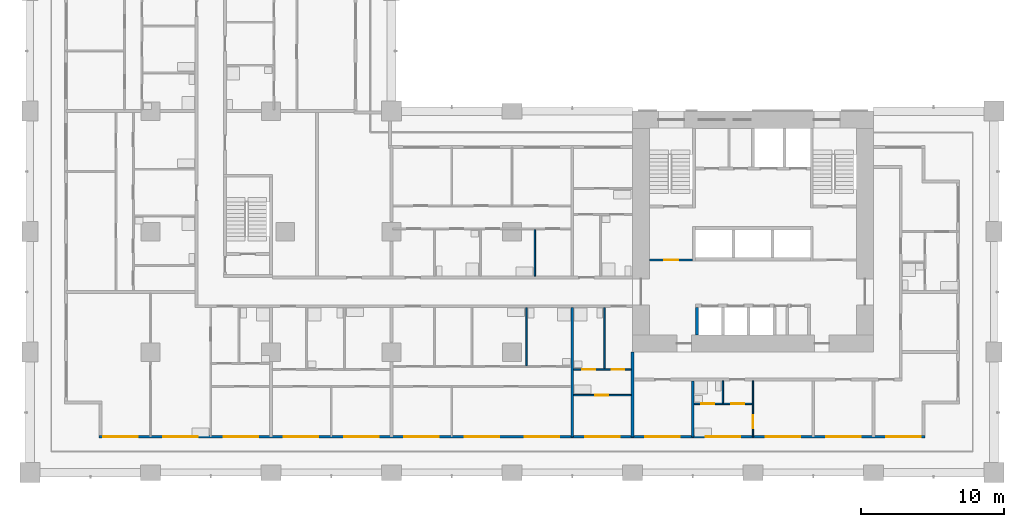
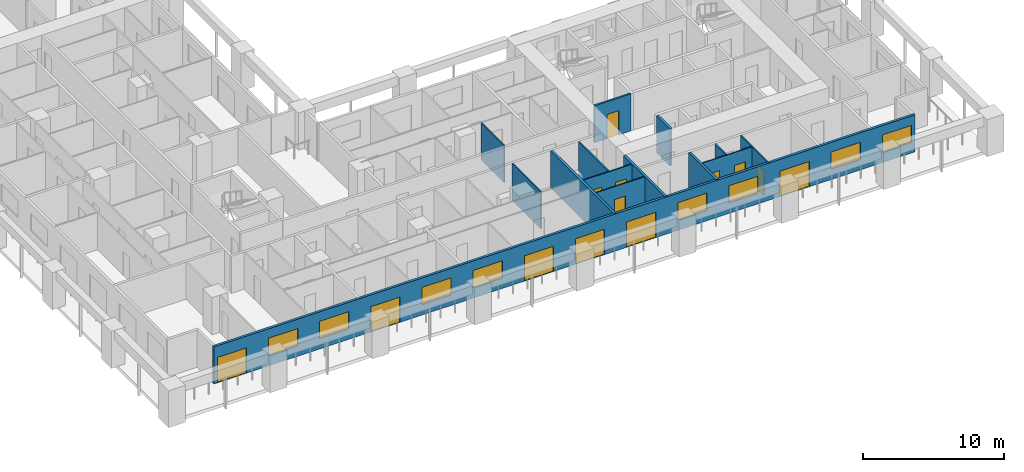
# One storey, part 5 of 19: 14 walls, 13 doors, 8 windows, 21 openings.
"""IFC4 building model written with IfcOpenShell, lengths in metres."""

import ifcopenshell
import ifcopenshell.guid

model = None  # the IFC model being written
_history = None  # IfcOwnerHistory: only IFC2X3 demands one
_inside = {}  # id of a spatial element -> (the spatial element, [elements in it])
_under = {}  # id of a project, library or spatial element -> (it, [spatial elements below it])
_declared = {}  # id of a project -> (the project, [libraries it declares])
_typed = {}  # id of a type object -> (the type object, [elements of that type])
_made_of = {}  # id of a material, layer set ... -> (it, [elements and type objects made of it])


def new_model(schema):
    """Start an empty IFC model of exactly this schema.

    Asked for "IFC4X3", IfcOpenShell would pick the latest addendum, in which some entities
    have other attributes; the version numbers below select the first issue.
    IFC2X3 requires an IfcOwnerHistory on every rooted entity: one is made here for all.
    """
    global model, _history
    if schema == "IFC4X3":
        model = ifcopenshell.file(schema_version=(4, 3, 0, 0))
    else:
        model = ifcopenshell.file(schema=schema)
    _inside.clear()
    _under.clear()
    _declared.clear()
    _typed.clear()
    _made_of.clear()
    _history = None
    if model.schema == "IFC2X3":
        org = make("IfcOrganization", Name="unknown")
        user = make(
            "IfcPersonAndOrganization",
            ThePerson=make("IfcPerson", FamilyName="unknown"),
            TheOrganization=org,
        )
        app = make(
            "IfcApplication",
            ApplicationDeveloper=org,
            Version="unknown",
            ApplicationFullName="unknown",
            ApplicationIdentifier="unknown",
        )
        _history = make(
            "IfcOwnerHistory",
            OwningUser=user,
            OwningApplication=app,
            ChangeAction="ADDED",
            CreationDate=0,
        )
    return model


def make(cls, **values):
    """One entity of the class cls with the attributes given. An attribute that is None is left unset."""
    return model.create_entity(
        cls, **{name: value for name, value in values.items() if value is not None}
    )


def rooted(cls, **values):
    """An entity with a GlobalId (a new one), such as an element, a storey or a relation."""
    return make(cls, GlobalId=ifcopenshell.guid.new(), OwnerHistory=_history, **values)


def si_unit(unit_type, name, prefix=None):
    """IfcSIUnit, for example si_unit("LENGTHUNIT", "METRE", prefix="MILLI")."""
    return make("IfcSIUnit", UnitType=unit_type, Prefix=prefix, Name=name)


def assignment(units):
    """IfcUnitAssignment: the units of a project."""
    return None if units is None else make("IfcUnitAssignment", Units=units)


def point(xyz):
    """IfcCartesianPoint."""
    return None if xyz is None else make("IfcCartesianPoint", Coordinates=xyz)


def direction(xyz):
    """IfcDirection."""
    return None if xyz is None else make("IfcDirection", DirectionRatios=xyz)


def frame(location, z_axis=None, x_axis=None):
    """IfcAxis2Placement3D, a coordinate frame: its origin and axes. An axis left out is left unset."""
    return make(
        "IfcAxis2Placement3D",
        Location=point(location),
        Axis=direction(z_axis),
        RefDirection=direction(x_axis),
    )


def frame_2d(location, x_axis=None):
    """IfcAxis2Placement2D, a coordinate frame in the plane: its origin and x axis."""
    return make(
        "IfcAxis2Placement2D", Location=point(location), RefDirection=direction(x_axis)
    )


def origin():
    """The frame at (0, 0, 0) with its axes left unset."""
    return frame((0.0, 0.0, 0.0))


def place(relative_to, where):
    """IfcLocalPlacement: puts the frame where relative to a parent placement (None: the world)."""
    return make(
        "IfcLocalPlacement", PlacementRelTo=relative_to, RelativePlacement=where
    )


def context(
    kind, dimensions, precision=None, world=None, true_north=None, identifier=None
):
    """IfcGeometricRepresentationContext, for example the 3D "Model" context."""
    return make(
        "IfcGeometricRepresentationContext",
        ContextIdentifier=identifier,
        ContextType=kind,
        CoordinateSpaceDimension=dimensions,
        Precision=precision,
        WorldCoordinateSystem=world,
        TrueNorth=true_north,
    )


def subcontext(parent, identifier, kind, view, scale=None):
    """IfcGeometricRepresentationSubContext, for example "Body" below "Model"."""
    return make(
        "IfcGeometricRepresentationSubContext",
        ContextIdentifier=identifier,
        ContextType=kind,
        ParentContext=parent,
        TargetScale=scale,
        TargetView=view,
    )


def project(units=None, contexts=None):
    """IfcProject with its units and contexts."""
    return rooted(
        "IfcProject",
        Name="project",
        RepresentationContexts=contexts,
        UnitsInContext=assignment(units),
    )


def spatial(cls, under=None, at=None, **own):
    """A site, building, storey or space (cls), placed at a placement, below another one or the project."""
    s = rooted(cls, ObjectPlacement=at, **own)
    if under is not None:
        _under.setdefault(under.id(), (under, []))[1].append(s)
    return s


def profile(cls, at=None, kind="AREA", **sizes):
    """A parametric profile (cls). Its sizes go by their IFC names, for example OverallWidth=200.0."""
    return make(cls, ProfileType=kind, Position=at, **sizes)


def rectangle(**sizes):
    """IfcRectangleProfileDef."""
    return profile("IfcRectangleProfileDef", **sizes)


def extrude(swept, where, along, depth):
    """IfcExtrudedAreaSolid: the profile swept, set in the frame where, extruded along a direction by depth."""
    return make(
        "IfcExtrudedAreaSolid",
        SweptArea=swept,
        Position=where,
        ExtrudedDirection=direction(along),
        Depth=depth,
    )


def shape(context_of_items, identifier, shape_type, items):
    """IfcShapeRepresentation: the items that make up one representation, for example the "Body"."""
    return make(
        "IfcShapeRepresentation",
        ContextOfItems=context_of_items,
        RepresentationIdentifier=identifier,
        RepresentationType=shape_type,
        Items=items,
    )


def material(Name=None, Category=None):
    """IfcMaterial."""
    return make("IfcMaterial", Name=Name, Category=Category)


def layer(
    of_material, thickness, ventilated=None, Name=None, Category=None, Priority=None
):
    """IfcMaterialLayer: one layer of a wall or slab, of a material (None: an air gap)."""
    return make(
        "IfcMaterialLayer",
        Material=of_material,
        LayerThickness=thickness,
        IsVentilated=ventilated,
        Name=Name,
        Category=Category,
        Priority=Priority,
    )


def layer_set(layers, Name=None):
    """IfcMaterialLayerSet."""
    return make("IfcMaterialLayerSet", MaterialLayers=layers, LayerSetName=Name)


def made_of(thing, what):
    """Note that an element or type object is made of a material, layer set ...; save() writes the relation."""
    if what is not None:
        _made_of.setdefault(what.id(), (what, []))[1].append(thing)
    return thing


def type_object(cls, material=None, **own):
    """A type object (cls), such as IfcWallType, which elements share."""
    return made_of(rooted(cls, **own), material)


def element(
    cls,
    number,
    at=None,
    inside=None,
    cuts=None,
    type_object=None,
    material=None,
    context=None,
    identifier="Body",
    shape_type=None,
    held_by="IfcProductDefinitionShape",
    body=None,
    shapes=None,
    **own,
):
    """One element of the class cls, such as IfcWall. Its Tag is "e" and its number.

    at: its placement. inside: the storey or other place that contains it. cuts: it is an
    opening in that element (IfcRelVoidsElement). A single representation is given by context,
    identifier, shape_type and body (its items); several are given by shapes. held_by: the class
    of the entity that holds the representations. save() writes the other relations.
    """
    e = rooted(cls, Tag="e%d" % number, ObjectPlacement=at, **own)
    if body is not None:
        shapes = [shape(context, identifier, shape_type, body)]
    if shapes is not None:
        e.Representation = make(held_by, Representations=shapes)
    if inside is not None:
        _inside.setdefault(inside.id(), (inside, []))[1].append(e)
    if cuts is not None:
        rooted(
            "IfcRelVoidsElement", RelatingBuildingElement=cuts, RelatedOpeningElement=e
        )
    if type_object is not None:
        _typed.setdefault(type_object.id(), (type_object, []))[1].append(e)
    return made_of(e, material)


def fill(opening, filler):
    """IfcRelFillsElement: the door or window that sits in an opening."""
    return rooted(
        "IfcRelFillsElement",
        RelatingOpeningElement=opening,
        RelatedBuildingElement=filler,
    )


def aggregate(whole, parts):
    """IfcRelAggregates: a whole, such as a stair, and the parts it consists of."""
    return rooted("IfcRelAggregates", RelatingObject=whole, RelatedObjects=parts)


def save(model, path):
    """Write the relations noted so far, then the file.

    IfcRelAggregates (storeys below a building ...), IfcRelContainedInSpatialStructure (elements
    in a storey), IfcRelDefinesByType, IfcRelAssociatesMaterial and IfcRelDeclares: one each for
    every whole, place, type object, material and project.
    """
    for whole, parts in _under.values():
        aggregate(whole, parts)
    for where, things in _inside.values():
        rooted(
            "IfcRelContainedInSpatialStructure",
            RelatedElements=things,
            RelatingStructure=where,
        )
    for kind, things in _typed.values():
        rooted("IfcRelDefinesByType", RelatedObjects=things, RelatingType=kind)
    for what, things in _made_of.values():
        rooted("IfcRelAssociatesMaterial", RelatedObjects=things, RelatingMaterial=what)
    for by, libraries in _declared.values():
        rooted("IfcRelDeclares", RelatingContext=by, RelatedDefinitions=libraries)
    model.write(path)


model = new_model("IFC4")

# Units and contexts
model_context = context("Model", 3, precision=1e-05, world=origin(), true_north=direction((0.0, 1.0)))
body_context = subcontext(model_context, "Body", "Model", "MODEL_VIEW")
ifc_project = project(units=[si_unit("LENGTHUNIT", "METRE"), si_unit("AREAUNIT", "SQUARE_METRE"), si_unit("VOLUMEUNIT", "CUBIC_METRE"), si_unit("PLANEANGLEUNIT", "RADIAN"), si_unit("MASSUNIT", "GRAM", prefix="KILO")], contexts=[model_context])

# Site, building, storey
site_placement = place(None, origin())
site = spatial("IfcSite", under=ifc_project, at=site_placement, CompositionType="ELEMENT")
building_placement = place(site_placement, origin())
building = spatial("IfcBuilding", under=site, at=building_placement, Name="Vermilion Gate Residences", CompositionType="ELEMENT")
storey_placement = place(building_placement, frame((0.0, 0.0, 53.199951171875)))
storey = spatial("IfcBuildingStorey", under=building, at=storey_placement, Name="L12", CompositionType="ELEMENT", Elevation=53.199951171875)

# Wall, opening, door
ifc_material_1 = material(Name="Masonry blockwork", Category="masonry")
ifc_layer_1 = layer(ifc_material_1, 0.14990234375)
ifc_layer_set_1 = layer_set([ifc_layer_1], Name="BLOCKWORK PARTITION 150 EI 120")
wall_type_1 = type_object("IfcWallType", Name="BLOCKWORK PARTITION 150 EI 120", PredefinedType="PARTITIONING", material=ifc_layer_set_1)
wall_1_placement = place(storey_placement, frame((43.199951171875, 14.824951171875, 0.0), z_axis=(0.0, 0.0, 1.0), x_axis=(1.0, 0.0, 0.0)))
wall_1 = element("IfcWall", 1, at=wall_1_placement, inside=storey, type_object=wall_type_1, Name="Core room partition A12-VW-S", PredefinedType="PARTITIONING", context=body_context, shape_type="SweptSolid", body=[
    extrude(rectangle(XDim=3.0, YDim=0.14990234375, at=frame_2d((1.5, 0.0))), origin(), (0.0, 0.0, 1.0), 3.219970703125),
])
opening_1_placement = place(wall_1_placement, frame((1.0, 0.0, 0.0)))
opening_1 = element("IfcOpeningElement", 2, at=opening_1_placement, cuts=wall_1, Name="Opening DK12014", PredefinedType="OPENING", context=body_context, shape_type="SweptSolid", body=[
    extrude(rectangle(XDim=1.0, YDim=2.10009765625, at=frame_2d((0.5, 1.050048828125))), frame((0.0, 0.0849609375, 0.0), z_axis=(0.0, -1.0, 0.0), x_axis=(1.0, 0.0, 0.0)), (0.0, 0.0, 1.0), 0.169921875),
])
ifc_material_2 = material(Name="Steel", Category="steel")
door_type_1 = type_object("IfcDoorType", Name="FIRE DOOR FD60 1000 X 2100", OperationType="SINGLE_SWING_LEFT", PredefinedType="DOOR", material=ifc_material_2)
door_1_placement = place(opening_1_placement, frame((1.0, 0.0, 0.0), z_axis=(0.0, 0.0, 1.0), x_axis=(-1.0, 0.0, 0.0)))
door_1 = element("IfcDoor", 3, at=door_1_placement, inside=storey, type_object=door_type_1, Name="Stair vestibule door A12", OperationType="SINGLE_SWING_RIGHT", OverallHeight=2.10009765625, OverallWidth=1.0, PredefinedType="DOOR", context=body_context, shape_type="SweptSolid", body=[
    extrude(rectangle(XDim=1.0, YDim=2.10009765625, at=frame_2d((0.5, 1.050048828125))), frame((0.0, 0.02490234375, 0.0), z_axis=(0.0, -1.0, 0.0), x_axis=(1.0, 0.0, 0.0)), (0.0, 0.0, 1.0), 0.050048828125),
])
fill(opening_1, door_1)

# Wall, openings, doors, windows
ifc_material_3 = material(Name="Insulated steel stud wall with terracotta rainscreen", Category="masonry")
ifc_layer_2 = layer(ifc_material_3, 0.199951171875)
ifc_layer_set_2 = layer_set([ifc_layer_2], Name="EXTERNAL WALL 200 TERRACOTTA RAINSCREEN")
wall_type_2 = type_object("IfcWallType", Name="EXTERNAL WALL 200 TERRACOTTA RAINSCREEN", PredefinedType="SOLIDWALL", material=ifc_layer_set_2)
wall_2_placement = place(storey_placement, frame((4.800048828125, 2.5, 0.0), z_axis=(0.0, 0.0, 1.0), x_axis=(1.0, 0.0, 0.0)))
wall_2 = element("IfcWall", 4, at=wall_2_placement, inside=storey, type_object=wall_type_2, Name="External wall", PredefinedType="SOLIDWALL", context=body_context, shape_type="SweptSolid", body=[
    extrude(rectangle(XDim=57.599853515625, YDim=0.199951171875, at=frame_2d((28.7998046875, 0.0))), origin(), (0.0, 0.0, 1.0), 3.219970703125),
])
opening_2_placement = place(wall_2_placement, frame((0.300048828125, 0.0, 0.0)))
opening_2 = element("IfcOpeningElement", 5, at=opening_2_placement, cuts=wall_2, Name="Opening DE12014", PredefinedType="OPENING", context=body_context, shape_type="SweptSolid", body=[
    extrude(rectangle(XDim=2.39990234375, YDim=2.199951171875, at=frame_2d((1.199951171875, 1.10009765625))), frame((0.0, 0.10986328125, 0.0), z_axis=(0.0, -1.0, 0.0), x_axis=(1.0, 0.0, 0.0)), (0.0, 0.0, 1.0), 0.219970703125),
])
opening_3_placement = place(wall_2_placement, frame((4.5, 0.0, 0.89990234375)))
opening_3 = element("IfcOpeningElement", 6, at=opening_3_placement, cuts=wall_2, Name="Opening WE12015", PredefinedType="OPENING", context=body_context, shape_type="SweptSolid", body=[
    extrude(rectangle(XDim=2.39990234375, YDim=1.5, at=frame_2d((1.199951171875, 0.75))), frame((0.0, 0.10986328125, 0.0), z_axis=(0.0, -1.0, 0.0), x_axis=(1.0, 0.0, 0.0)), (0.0, 0.0, 1.0), 0.219970703125),
])
opening_4_placement = place(wall_2_placement, frame((8.699951171875, 0.0, 0.89990234375)))
opening_4 = element("IfcOpeningElement", 7, at=opening_4_placement, cuts=wall_2, Name="Opening WE12016", PredefinedType="OPENING", context=body_context, shape_type="SweptSolid", body=[
    extrude(rectangle(XDim=2.39990234375, YDim=1.5, at=frame_2d((1.199951171875, 0.75))), frame((0.0, 0.10986328125, 0.0), z_axis=(0.0, -1.0, 0.0), x_axis=(1.0, 0.0, 0.0)), (0.0, 0.0, 1.0), 0.219970703125),
])
opening_5_placement = place(wall_2_placement, frame((12.89990234375, 0.0, 0.0)))
opening_5 = element("IfcOpeningElement", 8, at=opening_5_placement, cuts=wall_2, Name="Opening DE12017", PredefinedType="OPENING", context=body_context, shape_type="SweptSolid", body=[
    extrude(rectangle(XDim=2.39990234375, YDim=2.199951171875, at=frame_2d((1.199951171875, 1.10009765625))), frame((0.0, 0.10986328125, 0.0), z_axis=(0.0, -1.0, 0.0), x_axis=(1.0, 0.0, 0.0)), (0.0, 0.0, 1.0), 0.219970703125),
])
opening_6_placement = place(wall_2_placement, frame((17.10009765625, 0.0, 0.89990234375)))
opening_6 = element("IfcOpeningElement", 9, at=opening_6_placement, cuts=wall_2, Name="Opening WE12018", PredefinedType="OPENING", context=body_context, shape_type="SweptSolid", body=[
    extrude(rectangle(XDim=2.39990234375, YDim=1.5, at=frame_2d((1.199951171875, 0.75))), frame((0.0, 0.10986328125, 0.0), z_axis=(0.0, -1.0, 0.0), x_axis=(1.0, 0.0, 0.0)), (0.0, 0.0, 1.0), 0.219970703125),
])
opening_7_placement = place(wall_2_placement, frame((21.300048828125, 0.0, 0.89990234375)))
opening_7 = element("IfcOpeningElement", 10, at=opening_7_placement, cuts=wall_2, Name="Opening WE12019", PredefinedType="OPENING", context=body_context, shape_type="SweptSolid", body=[
    extrude(rectangle(XDim=2.39990234375, YDim=1.5, at=frame_2d((1.199951171875, 0.75))), frame((0.0, 0.10986328125, 0.0), z_axis=(0.0, -1.0, 0.0), x_axis=(1.0, 0.0, 0.0)), (0.0, 0.0, 1.0), 0.219970703125),
])
opening_8_placement = place(wall_2_placement, frame((25.5, 0.0, 0.0)))
opening_8 = element("IfcOpeningElement", 11, at=opening_8_placement, cuts=wall_2, Name="Opening DE12020", PredefinedType="OPENING", context=body_context, shape_type="SweptSolid", body=[
    extrude(rectangle(XDim=2.39990234375, YDim=2.199951171875, at=frame_2d((1.199951171875, 1.10009765625))), frame((0.0, 0.10986328125, 0.0), z_axis=(0.0, -1.0, 0.0), x_axis=(1.0, 0.0, 0.0)), (0.0, 0.0, 1.0), 0.219970703125),
])
opening_9_placement = place(wall_2_placement, frame((29.699951171875, 0.0, 0.0)))
opening_9 = element("IfcOpeningElement", 12, at=opening_9_placement, cuts=wall_2, Name="Opening DE12021", PredefinedType="OPENING", context=body_context, shape_type="SweptSolid", body=[
    extrude(rectangle(XDim=2.39990234375, YDim=2.199951171875, at=frame_2d((1.199951171875, 1.10009765625))), frame((0.0, 0.10986328125, 0.0), z_axis=(0.0, -1.0, 0.0), x_axis=(1.0, 0.0, 0.0)), (0.0, 0.0, 1.0), 0.219970703125),
])
opening_10_placement = place(wall_2_placement, frame((33.89990234375, 0.0, 0.0)))
opening_10 = element("IfcOpeningElement", 13, at=opening_10_placement, cuts=wall_2, Name="Opening DE12022", PredefinedType="OPENING", context=body_context, shape_type="SweptSolid", body=[
    extrude(rectangle(XDim=2.39990234375, YDim=2.199951171875, at=frame_2d((1.199951171875, 1.10009765625))), frame((0.0, 0.10986328125, 0.0), z_axis=(0.0, -1.0, 0.0), x_axis=(1.0, 0.0, 0.0)), (0.0, 0.0, 1.0), 0.219970703125),
])
opening_11_placement = place(wall_2_placement, frame((38.10009765625, 0.0, 0.89990234375)))
opening_11 = element("IfcOpeningElement", 14, at=opening_11_placement, cuts=wall_2, Name="Opening WE12023", PredefinedType="OPENING", context=body_context, shape_type="SweptSolid", body=[
    extrude(rectangle(XDim=2.39990234375, YDim=1.5, at=frame_2d((1.199951171875, 0.75))), frame((0.0, 0.10986328125, 0.0), z_axis=(0.0, -1.0, 0.0), x_axis=(1.0, 0.0, 0.0)), (0.0, 0.0, 1.0), 0.219970703125),
])
opening_12_placement = place(wall_2_placement, frame((42.300048828125, 0.0, 0.89990234375)))
opening_12 = element("IfcOpeningElement", 15, at=opening_12_placement, cuts=wall_2, Name="Opening WE12024", PredefinedType="OPENING", context=body_context, shape_type="SweptSolid", body=[
    extrude(rectangle(XDim=2.39990234375, YDim=1.5, at=frame_2d((1.199951171875, 0.75))), frame((0.0, 0.10986328125, 0.0), z_axis=(0.0, -1.0, 0.0), x_axis=(1.0, 0.0, 0.0)), (0.0, 0.0, 1.0), 0.219970703125),
])
opening_13_placement = place(wall_2_placement, frame((46.5, 0.0, 0.0)))
opening_13 = element("IfcOpeningElement", 16, at=opening_13_placement, cuts=wall_2, Name="Opening DE12025", PredefinedType="OPENING", context=body_context, shape_type="SweptSolid", body=[
    extrude(rectangle(XDim=2.39990234375, YDim=2.199951171875, at=frame_2d((1.199951171875, 1.10009765625))), frame((0.0, 0.10986328125, 0.0), z_axis=(0.0, -1.0, 0.0), x_axis=(1.0, 0.0, 0.0)), (0.0, 0.0, 1.0), 0.219970703125),
])
opening_14_placement = place(wall_2_placement, frame((50.699951171875, 0.0, 0.89990234375)))
opening_14 = element("IfcOpeningElement", 17, at=opening_14_placement, cuts=wall_2, Name="Opening WE12026", PredefinedType="OPENING", context=body_context, shape_type="SweptSolid", body=[
    extrude(rectangle(XDim=2.39990234375, YDim=1.5, at=frame_2d((1.199951171875, 0.75))), frame((0.0, 0.10986328125, 0.0), z_axis=(0.0, -1.0, 0.0), x_axis=(1.0, 0.0, 0.0)), (0.0, 0.0, 1.0), 0.219970703125),
])
opening_15_placement = place(wall_2_placement, frame((54.89990234375, 0.0, 0.89990234375)))
opening_15 = element("IfcOpeningElement", 18, at=opening_15_placement, cuts=wall_2, Name="Opening WE12027", PredefinedType="OPENING", context=body_context, shape_type="SweptSolid", body=[
    extrude(rectangle(XDim=2.39990234375, YDim=1.5, at=frame_2d((1.199951171875, 0.75))), frame((0.0, 0.10986328125, 0.0), z_axis=(0.0, -1.0, 0.0), x_axis=(1.0, 0.0, 0.0)), (0.0, 0.0, 1.0), 0.219970703125),
])
ifc_material_4 = material(Name="Aluminium and clear glass", Category="aluminium")
door_type_2 = type_object("IfcDoorType", Name="SLIDING GLAZED DOOR 2400 X 2200", OperationType="DOUBLE_DOOR_SLIDING", PredefinedType="DOOR", material=ifc_material_4)
door_2_placement = place(opening_2_placement, origin())
door_2 = element("IfcDoor", 19, at=door_2_placement, inside=storey, type_object=door_type_2, Name="Loggia sliding door", OperationType="DOUBLE_DOOR_SLIDING", OverallHeight=2.199951171875, OverallWidth=2.39990234375, PredefinedType="DOOR", context=body_context, shape_type="SweptSolid", body=[
    extrude(rectangle(XDim=2.39990234375, YDim=2.199951171875, at=frame_2d((1.199951171875, 1.10009765625))), frame((0.0, 0.02490234375, 0.0), z_axis=(0.0, -1.0, 0.0), x_axis=(1.0, 0.0, 0.0)), (0.0, 0.0, 1.0), 0.050048828125),
])
fill(opening_2, door_2)
door_3_placement = place(opening_5_placement, origin())
door_3 = element("IfcDoor", 20, at=door_3_placement, inside=storey, type_object=door_type_2, Name="Loggia sliding door", OperationType="DOUBLE_DOOR_SLIDING", OverallHeight=2.199951171875, OverallWidth=2.39990234375, PredefinedType="DOOR", context=body_context, shape_type="SweptSolid", body=[
    extrude(rectangle(XDim=2.39990234375, YDim=2.199951171875, at=frame_2d((1.199951171875, 1.10009765625))), frame((0.0, 0.02490234375, 0.0), z_axis=(0.0, -1.0, 0.0), x_axis=(1.0, 0.0, 0.0)), (0.0, 0.0, 1.0), 0.050048828125),
])
fill(opening_5, door_3)
door_4_placement = place(opening_8_placement, origin())
door_4 = element("IfcDoor", 21, at=door_4_placement, inside=storey, type_object=door_type_2, Name="Loggia sliding door", OperationType="DOUBLE_DOOR_SLIDING", OverallHeight=2.199951171875, OverallWidth=2.39990234375, PredefinedType="DOOR", context=body_context, shape_type="SweptSolid", body=[
    extrude(rectangle(XDim=2.39990234375, YDim=2.199951171875, at=frame_2d((1.199951171875, 1.10009765625))), frame((0.0, 0.02490234375, 0.0), z_axis=(0.0, -1.0, 0.0), x_axis=(1.0, 0.0, 0.0)), (0.0, 0.0, 1.0), 0.050048828125),
])
fill(opening_8, door_4)
door_5_placement = place(opening_9_placement, origin())
door_5 = element("IfcDoor", 22, at=door_5_placement, inside=storey, type_object=door_type_2, Name="Loggia sliding door", OperationType="DOUBLE_DOOR_SLIDING", OverallHeight=2.199951171875, OverallWidth=2.39990234375, PredefinedType="DOOR", context=body_context, shape_type="SweptSolid", body=[
    extrude(rectangle(XDim=2.39990234375, YDim=2.199951171875, at=frame_2d((1.199951171875, 1.10009765625))), frame((0.0, 0.02490234375, 0.0), z_axis=(0.0, -1.0, 0.0), x_axis=(1.0, 0.0, 0.0)), (0.0, 0.0, 1.0), 0.050048828125),
])
fill(opening_9, door_5)
door_6_placement = place(opening_10_placement, origin())
door_6 = element("IfcDoor", 23, at=door_6_placement, inside=storey, type_object=door_type_2, Name="Loggia sliding door", OperationType="DOUBLE_DOOR_SLIDING", OverallHeight=2.199951171875, OverallWidth=2.39990234375, PredefinedType="DOOR", context=body_context, shape_type="SweptSolid", body=[
    extrude(rectangle(XDim=2.39990234375, YDim=2.199951171875, at=frame_2d((1.199951171875, 1.10009765625))), frame((0.0, 0.02490234375, 0.0), z_axis=(0.0, -1.0, 0.0), x_axis=(1.0, 0.0, 0.0)), (0.0, 0.0, 1.0), 0.050048828125),
])
fill(opening_10, door_6)
door_7_placement = place(opening_13_placement, origin())
door_7 = element("IfcDoor", 24, at=door_7_placement, inside=storey, type_object=door_type_2, Name="Loggia sliding door", OperationType="DOUBLE_DOOR_SLIDING", OverallHeight=2.199951171875, OverallWidth=2.39990234375, PredefinedType="DOOR", context=body_context, shape_type="SweptSolid", body=[
    extrude(rectangle(XDim=2.39990234375, YDim=2.199951171875, at=frame_2d((1.199951171875, 1.10009765625))), frame((0.0, 0.02490234375, 0.0), z_axis=(0.0, -1.0, 0.0), x_axis=(1.0, 0.0, 0.0)), (0.0, 0.0, 1.0), 0.050048828125),
])
fill(opening_13, door_7)
ifc_material_5 = material(Name="Aluminium and clear glass", Category="aluminium")
window_type = type_object("IfcWindowType", Name="WINDOW 2400 X 1500", PartitioningType="SINGLE_PANEL", PredefinedType="WINDOW", material=ifc_material_5)
window_1_placement = place(opening_3_placement, origin())
window_1 = element("IfcWindow", 25, at=window_1_placement, inside=storey, type_object=window_type, Name="Window", OverallHeight=1.5, OverallWidth=2.39990234375, PartitioningType="SINGLE_PANEL", PredefinedType="WINDOW", context=body_context, shape_type="SweptSolid", body=[
    extrude(rectangle(XDim=2.39990234375, YDim=1.5, at=frame_2d((1.199951171875, 0.75))), frame((0.0, 0.030029296875, 0.0), z_axis=(0.0, -1.0, 0.0), x_axis=(1.0, 0.0, 0.0)), (0.0, 0.0, 1.0), 0.06005859375),
])
fill(opening_3, window_1)
window_2_placement = place(opening_4_placement, origin())
window_2 = element("IfcWindow", 26, at=window_2_placement, inside=storey, type_object=window_type, Name="Window", OverallHeight=1.5, OverallWidth=2.39990234375, PartitioningType="SINGLE_PANEL", PredefinedType="WINDOW", context=body_context, shape_type="SweptSolid", body=[
    extrude(rectangle(XDim=2.39990234375, YDim=1.5, at=frame_2d((1.199951171875, 0.75))), frame((0.0, 0.030029296875, 0.0), z_axis=(0.0, -1.0, 0.0), x_axis=(1.0, 0.0, 0.0)), (0.0, 0.0, 1.0), 0.06005859375),
])
fill(opening_4, window_2)
window_3_placement = place(opening_6_placement, origin())
window_3 = element("IfcWindow", 27, at=window_3_placement, inside=storey, type_object=window_type, Name="Window", OverallHeight=1.5, OverallWidth=2.39990234375, PartitioningType="SINGLE_PANEL", PredefinedType="WINDOW", context=body_context, shape_type="SweptSolid", body=[
    extrude(rectangle(XDim=2.39990234375, YDim=1.5, at=frame_2d((1.199951171875, 0.75))), frame((0.0, 0.030029296875, 0.0), z_axis=(0.0, -1.0, 0.0), x_axis=(1.0, 0.0, 0.0)), (0.0, 0.0, 1.0), 0.06005859375),
])
fill(opening_6, window_3)
window_4_placement = place(opening_7_placement, origin())
window_4 = element("IfcWindow", 28, at=window_4_placement, inside=storey, type_object=window_type, Name="Window", OverallHeight=1.5, OverallWidth=2.39990234375, PartitioningType="SINGLE_PANEL", PredefinedType="WINDOW", context=body_context, shape_type="SweptSolid", body=[
    extrude(rectangle(XDim=2.39990234375, YDim=1.5, at=frame_2d((1.199951171875, 0.75))), frame((0.0, 0.030029296875, 0.0), z_axis=(0.0, -1.0, 0.0), x_axis=(1.0, 0.0, 0.0)), (0.0, 0.0, 1.0), 0.06005859375),
])
fill(opening_7, window_4)
window_5_placement = place(opening_11_placement, origin())
window_5 = element("IfcWindow", 29, at=window_5_placement, inside=storey, type_object=window_type, Name="Window", OverallHeight=1.5, OverallWidth=2.39990234375, PartitioningType="SINGLE_PANEL", PredefinedType="WINDOW", context=body_context, shape_type="SweptSolid", body=[
    extrude(rectangle(XDim=2.39990234375, YDim=1.5, at=frame_2d((1.199951171875, 0.75))), frame((0.0, 0.030029296875, 0.0), z_axis=(0.0, -1.0, 0.0), x_axis=(1.0, 0.0, 0.0)), (0.0, 0.0, 1.0), 0.06005859375),
])
fill(opening_11, window_5)
window_6_placement = place(opening_12_placement, origin())
window_6 = element("IfcWindow", 30, at=window_6_placement, inside=storey, type_object=window_type, Name="Window", OverallHeight=1.5, OverallWidth=2.39990234375, PartitioningType="SINGLE_PANEL", PredefinedType="WINDOW", context=body_context, shape_type="SweptSolid", body=[
    extrude(rectangle(XDim=2.39990234375, YDim=1.5, at=frame_2d((1.199951171875, 0.75))), frame((0.0, 0.030029296875, 0.0), z_axis=(0.0, -1.0, 0.0), x_axis=(1.0, 0.0, 0.0)), (0.0, 0.0, 1.0), 0.06005859375),
])
fill(opening_12, window_6)
window_7_placement = place(opening_14_placement, origin())
window_7 = element("IfcWindow", 31, at=window_7_placement, inside=storey, type_object=window_type, Name="Window", OverallHeight=1.5, OverallWidth=2.39990234375, PartitioningType="SINGLE_PANEL", PredefinedType="WINDOW", context=body_context, shape_type="SweptSolid", body=[
    extrude(rectangle(XDim=2.39990234375, YDim=1.5, at=frame_2d((1.199951171875, 0.75))), frame((0.0, 0.030029296875, 0.0), z_axis=(0.0, -1.0, 0.0), x_axis=(1.0, 0.0, 0.0)), (0.0, 0.0, 1.0), 0.06005859375),
])
fill(opening_14, window_7)
window_8_placement = place(opening_15_placement, origin())
window_8 = element("IfcWindow", 32, at=window_8_placement, inside=storey, type_object=window_type, Name="Window", OverallHeight=1.5, OverallWidth=2.39990234375, PartitioningType="SINGLE_PANEL", PredefinedType="WINDOW", context=body_context, shape_type="SweptSolid", body=[
    extrude(rectangle(XDim=2.39990234375, YDim=1.5, at=frame_2d((1.199951171875, 0.75))), frame((0.0, 0.030029296875, 0.0), z_axis=(0.0, -1.0, 0.0), x_axis=(1.0, 0.0, 0.0)), (0.0, 0.0, 1.0), 0.06005859375),
])
fill(opening_15, window_8)

# Wall, openings, doors
ifc_material_6 = material(Name="Plasterboard on steel studs", Category="steel")
ifc_layer_3 = layer(ifc_material_6, 0.10009765625)
ifc_layer_set_3 = layer_set([ifc_layer_3], Name="PARTITION 100")
wall_type_3 = type_object("IfcWallType", Name="PARTITION 100", PredefinedType="PARTITIONING", material=ifc_layer_set_3)
wall_3_placement = place(storey_placement, frame((46.300048828125, 4.800048828125, 0.0), z_axis=(0.0, 0.0, 1.0), x_axis=(1.0, 0.0, 0.0)))
wall_3 = element("IfcWall", 33, at=wall_3_placement, inside=storey, type_object=wall_type_3, Name="Partition", PredefinedType="PARTITIONING", context=body_context, shape_type="SweptSolid", body=[
    extrude(rectangle(XDim=4.050048828125, YDim=0.10009765625, at=frame_2d((2.02490234375, 0.0))), origin(), (0.0, 0.0, 1.0), 3.219970703125),
])
opening_16_placement = place(wall_3_placement, frame((2.60009765625, 0.0, 0.0)))
opening_16 = element("IfcOpeningElement", 34, at=opening_16_placement, cuts=wall_3, Name="Opening DA10001", PredefinedType="OPENING", context=body_context, shape_type="SweptSolid", body=[
    extrude(rectangle(XDim=0.89990234375, YDim=2.10009765625, at=frame_2d((0.449951171875, 1.050048828125))), frame((0.0, 0.06005859375, 0.0), z_axis=(0.0, -1.0, 0.0), x_axis=(1.0, 0.0, 0.0)), (0.0, 0.0, 1.0), 0.1201171875),
])
opening_17_placement = place(wall_3_placement, frame((0.5, 0.0, 0.0)))
opening_17 = element("IfcOpeningElement", 35, at=opening_17_placement, cuts=wall_3, Name="Opening DA10002", PredefinedType="OPENING", context=body_context, shape_type="SweptSolid", body=[
    extrude(rectangle(XDim=0.89990234375, YDim=2.10009765625, at=frame_2d((0.449951171875, 1.050048828125))), frame((0.0, 0.06005859375, 0.0), z_axis=(0.0, -1.0, 0.0), x_axis=(1.0, 0.0, 0.0)), (0.0, 0.0, 1.0), 0.1201171875),
])
ifc_material_7 = material(Name="Timber", Category="wood")
door_type_3 = type_object("IfcDoorType", Name="INTERIOR DOOR 900 X 2100", OperationType="SINGLE_SWING_LEFT", PredefinedType="DOOR", material=ifc_material_7)
door_8_placement = place(opening_16_placement, frame((0.89990234375, 0.0, 0.0), z_axis=(0.0, 0.0, 1.0), x_axis=(-1.0, 0.0, 0.0)))
door_8 = element("IfcDoor", 36, at=door_8_placement, inside=storey, type_object=door_type_3, Name="Interior door", OperationType="SINGLE_SWING_LEFT", OverallHeight=2.10009765625, OverallWidth=0.89990234375, PredefinedType="DOOR", context=body_context, shape_type="SweptSolid", body=[
    extrude(rectangle(XDim=0.89990234375, YDim=2.10009765625, at=frame_2d((0.449951171875, 1.050048828125))), frame((0.0, 0.02490234375, 0.0), z_axis=(0.0, -1.0, 0.0), x_axis=(1.0, 0.0, 0.0)), (0.0, 0.0, 1.0), 0.050048828125),
])
fill(opening_16, door_8)
door_9_placement = place(opening_17_placement, origin())
door_9 = element("IfcDoor", 37, at=door_9_placement, inside=storey, type_object=door_type_3, Name="Interior door", OperationType="SINGLE_SWING_RIGHT", OverallHeight=2.10009765625, OverallWidth=0.89990234375, PredefinedType="DOOR", context=body_context, shape_type="SweptSolid", body=[
    extrude(rectangle(XDim=0.89990234375, YDim=2.10009765625, at=frame_2d((0.449951171875, 1.050048828125))), frame((0.0, 0.02490234375, 0.0), z_axis=(0.0, -1.0, 0.0), x_axis=(1.0, 0.0, 0.0)), (0.0, 0.0, 1.0), 0.050048828125),
])
fill(opening_17, door_9)

# Wall, opening, door
wall_4_placement = place(storey_placement, frame((37.89990234375, 5.39990234375, 0.0), z_axis=(0.0, 0.0, 1.0), x_axis=(1.0, 0.0, 0.0)))
wall_4 = element("IfcWall", 38, at=wall_4_placement, inside=storey, type_object=wall_type_3, Name="Partition", PredefinedType="PARTITIONING", context=body_context, shape_type="SweptSolid", body=[
    extrude(rectangle(XDim=4.0, YDim=0.10009765625, at=frame_2d((2.0, 0.0))), origin(), (0.0, 0.0, 1.0), 3.219970703125),
])
opening_18_placement = place(wall_4_placement, frame((1.5, 0.0, 0.0)))
opening_18 = element("IfcOpeningElement", 39, at=opening_18_placement, cuts=wall_4, Name="Opening DA10003", PredefinedType="OPENING", context=body_context, shape_type="SweptSolid", body=[
    extrude(rectangle(XDim=0.89990234375, YDim=2.10009765625, at=frame_2d((0.449951171875, 1.050048828125))), frame((0.0, 0.06005859375, 0.0), z_axis=(0.0, -1.0, 0.0), x_axis=(1.0, 0.0, 0.0)), (0.0, 0.0, 1.0), 0.1201171875),
])
door_10_placement = place(opening_18_placement, origin())
door_10 = element("IfcDoor", 40, at=door_10_placement, inside=storey, type_object=door_type_3, Name="Interior door", OperationType="SINGLE_SWING_LEFT", OverallHeight=2.10009765625, OverallWidth=0.89990234375, PredefinedType="DOOR", context=body_context, shape_type="SweptSolid", body=[
    extrude(rectangle(XDim=0.89990234375, YDim=2.10009765625, at=frame_2d((0.449951171875, 1.050048828125))), frame((0.0, 0.02490234375, 0.0), z_axis=(0.0, -1.0, 0.0), x_axis=(1.0, 0.0, 0.0)), (0.0, 0.0, 1.0), 0.050048828125),
])
fill(opening_18, door_10)

# Wall, openings, doors
wall_5_placement = place(storey_placement, frame((37.89990234375, 7.199951171875, 0.0), z_axis=(0.0, 0.0, 1.0), x_axis=(1.0, 0.0, 0.0)))
wall_5 = element("IfcWall", 41, at=wall_5_placement, inside=storey, type_object=wall_type_3, Name="Partition", PredefinedType="PARTITIONING", context=body_context, shape_type="SweptSolid", body=[
    extrude(rectangle(XDim=4.0, YDim=0.10009765625, at=frame_2d((2.0, 0.0))), origin(), (0.0, 0.0, 1.0), 3.219970703125),
])
opening_19_placement = place(wall_5_placement, frame((2.639892578125, 0.0, 0.0)))
opening_19 = element("IfcOpeningElement", 42, at=opening_19_placement, cuts=wall_5, Name="Opening DA10016", PredefinedType="OPENING", context=body_context, shape_type="SweptSolid", body=[
    extrude(rectangle(XDim=0.89990234375, YDim=2.10009765625, at=frame_2d((0.449951171875, 1.050048828125))), frame((0.0, 0.06005859375, 0.0), z_axis=(0.0, -1.0, 0.0), x_axis=(1.0, 0.0, 0.0)), (0.0, 0.0, 1.0), 0.1201171875),
])
opening_20_placement = place(wall_5_placement, frame((0.60009765625, 0.0, 0.0)))
opening_20 = element("IfcOpeningElement", 43, at=opening_20_placement, cuts=wall_5, Name="Opening DA10017", PredefinedType="OPENING", context=body_context, shape_type="SweptSolid", body=[
    extrude(rectangle(XDim=0.89990234375, YDim=2.10009765625, at=frame_2d((0.449951171875, 1.050048828125))), frame((0.0, 0.06005859375, 0.0), z_axis=(0.0, -1.0, 0.0), x_axis=(1.0, 0.0, 0.0)), (0.0, 0.0, 1.0), 0.1201171875),
])
door_11_placement = place(opening_19_placement, frame((0.89990234375, 0.0, 0.0), z_axis=(0.0, 0.0, 1.0), x_axis=(-1.0, 0.0, 0.0)))
door_11 = element("IfcDoor", 44, at=door_11_placement, inside=storey, type_object=door_type_3, Name="Interior door", OperationType="SINGLE_SWING_LEFT", OverallHeight=2.10009765625, OverallWidth=0.89990234375, PredefinedType="DOOR", context=body_context, shape_type="SweptSolid", body=[
    extrude(rectangle(XDim=0.89990234375, YDim=2.10009765625, at=frame_2d((0.449951171875, 1.050048828125))), frame((0.0, 0.02490234375, 0.0), z_axis=(0.0, -1.0, 0.0), x_axis=(1.0, 0.0, 0.0)), (0.0, 0.0, 1.0), 0.050048828125),
])
fill(opening_19, door_11)
door_12_placement = place(opening_20_placement, frame((0.89990234375, 0.0, 0.0), z_axis=(0.0, 0.0, 1.0), x_axis=(-1.0, 0.0, 0.0)))
door_12 = element("IfcDoor", 45, at=door_12_placement, inside=storey, type_object=door_type_3, Name="Interior door", OperationType="SINGLE_SWING_RIGHT", OverallHeight=2.10009765625, OverallWidth=0.89990234375, PredefinedType="DOOR", context=body_context, shape_type="SweptSolid", body=[
    extrude(rectangle(XDim=0.89990234375, YDim=2.10009765625, at=frame_2d((0.449951171875, 1.050048828125))), frame((0.0, 0.02490234375, 0.0), z_axis=(0.0, -1.0, 0.0), x_axis=(1.0, 0.0, 0.0)), (0.0, 0.0, 1.0), 0.050048828125),
])
fill(opening_20, door_12)

# Walls
wall_6_placement = place(storey_placement, frame((34.60009765625, 7.449951171875, 0.0), z_axis=(0.0, 0.0, 1.0), x_axis=(0.0, 1.0, 0.0)))
element("IfcWall", 46, at=wall_6_placement, inside=storey, type_object=wall_type_3, Name="Partition", PredefinedType="PARTITIONING", context=body_context, shape_type="SweptSolid", body=[
    extrude(rectangle(XDim=4.050048828125, YDim=0.10009765625, at=frame_2d((2.02490234375, 0.0))), origin(), (0.0, 0.0, 1.0), 3.219970703125),
])
wall_7_placement = place(storey_placement, frame((35.199951171875, 13.699951171875, 0.0), z_axis=(0.0, 0.0, 1.0), x_axis=(0.0, 1.0, 0.0)))
element("IfcWall", 47, at=wall_7_placement, inside=storey, type_object=wall_type_3, Name="Partition", PredefinedType="PARTITIONING", context=body_context, shape_type="SweptSolid", body=[
    extrude(rectangle(XDim=3.25, YDim=0.10009765625, at=frame_2d((1.625, 0.0))), origin(), (0.0, 0.0, 1.0), 3.219970703125),
])
wall_8_placement = place(storey_placement, frame((40.0400390625, 7.25, 0.0), z_axis=(0.0, 0.0, 1.0), x_axis=(0.0, 1.0, 0.0)))
element("IfcWall", 48, at=wall_8_placement, inside=storey, type_object=wall_type_3, Name="Partition", PredefinedType="PARTITIONING", context=body_context, shape_type="SweptSolid", body=[
    extrude(rectangle(XDim=4.25, YDim=0.10009765625, at=frame_2d((2.125, 0.0))), origin(), (0.0, 0.0, 1.0), 3.219970703125),
])
wall_9_placement = place(storey_placement, frame((48.300048828125, 4.85009765625, 0.0), z_axis=(0.0, 0.0, 1.0), x_axis=(0.0, 1.0, 0.0)))
element("IfcWall", 49, at=wall_9_placement, inside=storey, type_object=wall_type_3, Name="Partition", PredefinedType="PARTITIONING", context=body_context, shape_type="SweptSolid", body=[
    extrude(rectangle(XDim=1.5498046875, YDim=0.10009765625, at=frame_2d((0.77490234375, 0.0))), origin(), (0.0, 0.0, 1.0), 3.219970703125),
])

# Wall, opening, door
wall_10_placement = place(storey_placement, frame((50.39990234375, 2.5, 0.0), z_axis=(0.0, 0.0, 1.0), x_axis=(0.0, 1.0, 0.0)))
wall_10 = element("IfcWall", 50, at=wall_10_placement, inside=storey, type_object=wall_type_3, Name="Partition", PredefinedType="PARTITIONING", context=body_context, shape_type="SweptSolid", body=[
    extrude(rectangle(XDim=3.89990234375, YDim=0.10009765625, at=frame_2d((1.949951171875, 0.0))), origin(), (0.0, 0.0, 1.0), 3.219970703125),
])
opening_21_placement = place(wall_10_placement, frame((0.60009765625, 0.0, 0.0)))
opening_21 = element("IfcOpeningElement", 51, at=opening_21_placement, cuts=wall_10, Name="Opening DA10080", PredefinedType="OPENING", context=body_context, shape_type="SweptSolid", body=[
    extrude(rectangle(XDim=0.89990234375, YDim=2.10009765625, at=frame_2d((0.449951171875, 1.050048828125))), frame((0.0, 0.06005859375, 0.0), z_axis=(0.0, -1.0, 0.0), x_axis=(1.0, 0.0, 0.0)), (0.0, 0.0, 1.0), 0.1201171875),
])
door_13_placement = place(opening_21_placement, origin())
door_13 = element("IfcDoor", 52, at=door_13_placement, inside=storey, type_object=door_type_3, Name="Interior door", OperationType="SINGLE_SWING_LEFT", OverallHeight=2.10009765625, OverallWidth=0.89990234375, PredefinedType="DOOR", context=body_context, shape_type="SweptSolid", body=[
    extrude(rectangle(XDim=0.89990234375, YDim=2.10009765625, at=frame_2d((0.449951171875, 1.050048828125))), frame((0.0, 0.02490234375, 0.0), z_axis=(0.0, -1.0, 0.0), x_axis=(1.0, 0.0, 0.0)), (0.0, 0.0, 1.0), 0.050048828125),
])
fill(opening_21, door_13)

# Walls
ifc_material_8 = material(Name="Fire-rated plasterboard on steel studs", Category="steel")
ifc_layer_4 = layer(ifc_material_8, 0.199951171875)
ifc_layer_set_4 = layer_set([ifc_layer_4], Name="PARTY WALL 200 EI 120")
wall_type_4 = type_object("IfcWallType", Name="PARTY WALL 200 EI 120", PredefinedType="PARTITIONING", material=ifc_layer_set_4)
wall_11_placement = place(storey_placement, frame((37.800048828125, 2.5, 0.0), z_axis=(0.0, 0.0, 1.0), x_axis=(0.0, 1.0, 0.0)))
element("IfcWall", 53, at=wall_11_placement, inside=storey, type_object=wall_type_4, Name="Party and corridor wall", PredefinedType="PARTITIONING", context=body_context, shape_type="SweptSolid", body=[
    extrude(rectangle(XDim=9.0, YDim=0.199951171875, at=frame_2d((4.5, 0.0))), origin(), (0.0, 0.0, 1.0), 3.219970703125),
])
wall_12_placement = place(storey_placement, frame((42.0, 2.5, 0.0), z_axis=(0.0, 0.0, 1.0), x_axis=(0.0, 1.0, 0.0)))
element("IfcWall", 54, at=wall_12_placement, inside=storey, type_object=wall_type_4, Name="Party and corridor wall", PredefinedType="PARTITIONING", context=body_context, shape_type="SweptSolid", body=[
    extrude(rectangle(XDim=5.89990234375, YDim=0.199951171875, at=frame_2d((2.949951171875, 0.0))), origin(), (0.0, 0.0, 1.0), 3.219970703125),
])
wall_13_placement = place(storey_placement, frame((46.199951171875, 2.5, 0.0), z_axis=(0.0, 0.0, 1.0), x_axis=(0.0, 1.0, 0.0)))
element("IfcWall", 55, at=wall_13_placement, inside=storey, type_object=wall_type_4, Name="Party and corridor wall", PredefinedType="PARTITIONING", context=body_context, shape_type="SweptSolid", body=[
    extrude(rectangle(XDim=3.89990234375, YDim=0.199951171875, at=frame_2d((1.949951171875, 0.0))), origin(), (0.0, 0.0, 1.0), 3.219970703125),
])
ifc_material_9 = material(Name="Concrete C60", Category="concrete")
ifc_layer_5 = layer(ifc_material_9, 0.199951171875)
ifc_layer_set_5 = layer_set([ifc_layer_5], Name="RC CORE INTERNAL WALL 200 C60")
wall_type_5 = type_object("IfcWallType", Name="RC CORE INTERNAL WALL 200 C60", PredefinedType="SHEAR", material=ifc_layer_set_5)
wall_14_placement = place(storey_placement, frame((46.5, 9.60009765625, 0.0), z_axis=(0.0, 0.0, 1.0), x_axis=(0.0, 1.0, 0.0)))
element("IfcWall", 56, at=wall_14_placement, inside=storey, type_object=wall_type_5, Name="Core internal wall A12-LR-D0", PredefinedType="SHEAR", context=body_context, shape_type="SweptSolid", body=[
    extrude(rectangle(XDim=1.89990234375, YDim=0.199951171875, at=frame_2d((0.949951171875, 0.0))), origin(), (0.0, 0.0, 1.0), 3.219970703125),
])

save(model, "model.ifc")
